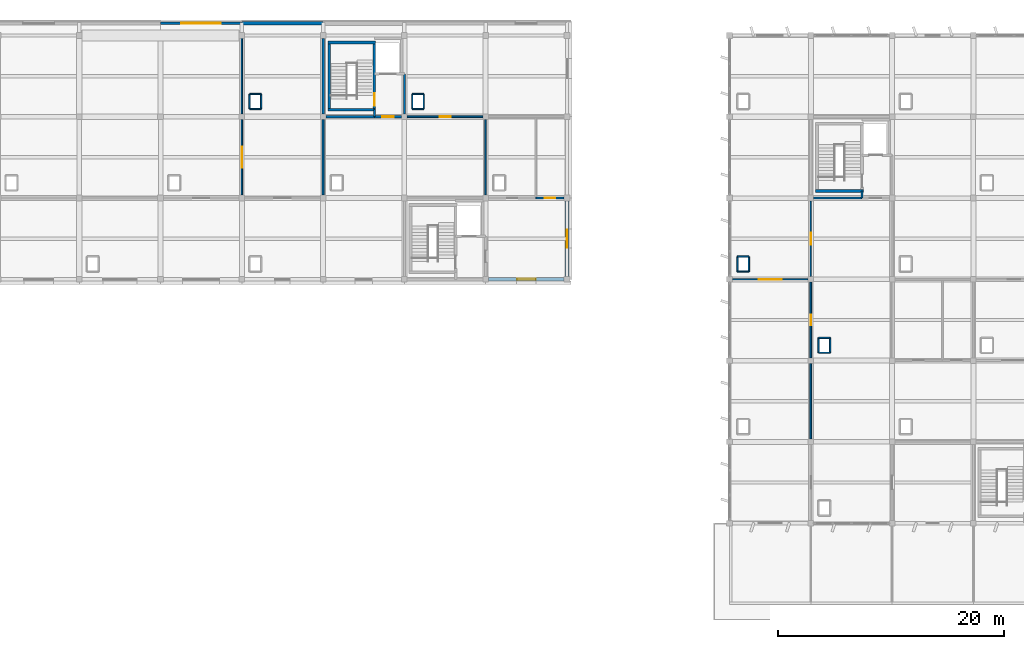
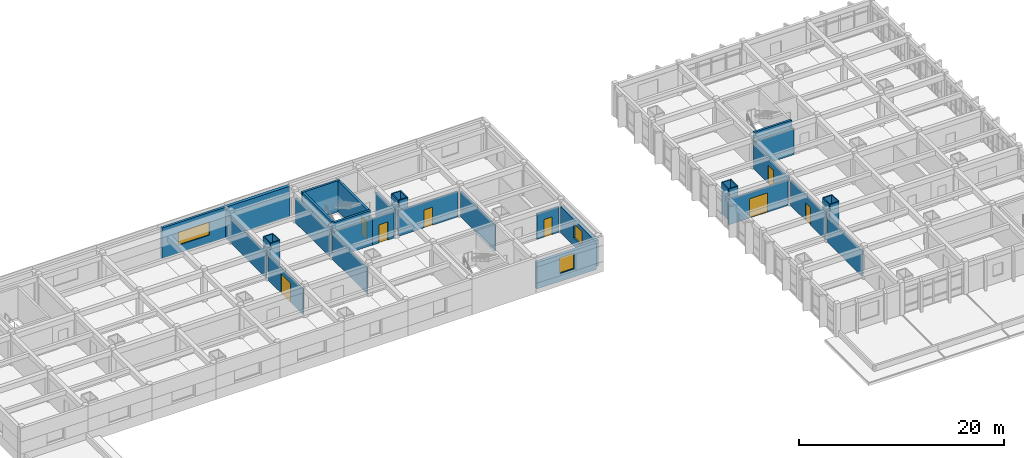
# One storey, part 34 of 40: 42 walls, 8 doors, 3 windows, 11 openings.
"""IFC4 building model written with IfcOpenShell, lengths in metres."""

from ifc_helpers import new_model, si_unit, direction, frame, frame_2d, origin, place, context, subcontext, project, spatial, rectangle, extrude, material, layer, layer_set, type_object, element, fill, save


model = new_model("IFC4")

# Units and contexts
model_context = context("Model", 3, precision=1e-05, world=origin(), true_north=direction((0.0, 1.0)))
body_context = subcontext(model_context, "Body", "Model", "MODEL_VIEW")
ifc_project = project(units=[si_unit("LENGTHUNIT", "METRE"), si_unit("AREAUNIT", "SQUARE_METRE"), si_unit("VOLUMEUNIT", "CUBIC_METRE"), si_unit("PLANEANGLEUNIT", "RADIAN"), si_unit("MASSUNIT", "GRAM", prefix="KILO")], contexts=[model_context])

# Site, building, storey
site_placement = place(None, origin())
site = spatial("IfcSite", under=ifc_project, at=site_placement, CompositionType="ELEMENT")
building_placement = place(site_placement, origin())
building = spatial("IfcBuilding", under=site, at=building_placement, Name="Kavelor Marine Aquarium", CompositionType="ELEMENT")
storey_placement = place(building_placement, frame((0.0, 0.0, 17.639892578125)))
storey = spatial("IfcBuildingStorey", under=building, at=storey_placement, Name="L04", CompositionType="ELEMENT", Elevation=17.639892578125)

# Wall, opening, window
ifc_material_1 = material(Name="Concrete C45/55", Category="concrete")
ifc_layer_1 = layer(ifc_material_1, 0.360107421875)
ifc_layer_set_1 = layer_set([ifc_layer_1], Name="WL-EX1")
wall_type_1 = type_object("IfcWallType", Name="WL-EX1", PredefinedType="STANDARD", material=ifc_layer_set_1)
wall_1_placement = place(storey_placement, frame((104.0, 96.155029296875, 0.0), z_axis=(0.0, 0.0, 1.0), x_axis=(0.0, -1.0, 0.0)))
wall_1 = element("IfcWall", 1, at=wall_1_placement, inside=storey, type_object=wall_type_1, Name="ew:y:L04:14_12", PredefinedType="STANDARD", context=body_context, shape_type="SweptSolid", body=[
    extrude(rectangle(XDim=6.7099609375, YDim=0.360107421875, at=frame_2d((3.35498046875, 0.0))), origin(), (0.0, 0.0, 1.0), 3.14013671875),
])
opening_1_placement = place(wall_1_placement, frame((2.554931640625, 0.0, 0.949951171875)))
opening_1 = element("IfcOpeningElement", 2, at=opening_1_placement, cuts=wall_1, Name="Opening W06", PredefinedType="OPENING", context=body_context, shape_type="SweptSolid", body=[
    extrude(rectangle(XDim=1.60009765625, YDim=1.699951171875, at=frame_2d((0.800048828125, 0.85009765625))), frame((0.0, 0.18994140625, 0.0), z_axis=(0.0, -1.0, 0.0), x_axis=(1.0, 0.0, 0.0)), (0.0, 0.0, 1.0), 0.380107),
])
ifc_material_2 = material(Name="Anodised Aluminium Frame with Low-E Double Glazing", Category="aluminium")
window_type_1 = type_object("IfcWindowType", Name="WIN-W06", PartitioningType="SINGLE_PANEL", PredefinedType="WINDOW", material=ifc_material_2)
window_1_placement = place(opening_1_placement, origin())
window_1 = element("IfcWindow", 3, at=window_1_placement, inside=storey, type_object=window_type_1, Name="win:y:L04:14_12", OverallHeight=1.699951171875, OverallWidth=1.60009765625, PartitioningType="SINGLE_PANEL", PredefinedType="WINDOW", context=body_context, shape_type="SweptSolid", body=[
    extrude(rectangle(XDim=1.60009765625, YDim=1.699951171875, at=frame_2d((0.800048828125, 0.85009765625))), frame((0.0, 0.030029296875, 0.0), z_axis=(0.0, -1.0, 0.0), x_axis=(1.0, 0.0, 0.0)), (0.0, 0.0, 1.0), 0.06005859375),
])
fill(opening_1, window_1)

ifc_material_3 = material(Name="Concrete C40/50", Category="concrete")
ifc_layer_2 = layer(ifc_material_3, 0.260009765625)
ifc_layer_set_2 = layer_set([ifc_layer_2], Name="WL-EX5")
wall_type_2 = type_object("IfcWallType", Name="WL-EX5", PredefinedType="STANDARD", material=ifc_layer_set_2)
wall_2_placement = place(storey_placement, frame((68.0, 111.8798828125, 0.0), z_axis=(0.0, 0.0, 1.0), x_axis=(1.0, 0.0, 0.0)))
wall_2 = element("IfcWall", 4, at=wall_2_placement, inside=storey, type_object=wall_type_2, Name="ew:x:L04:09_15", PredefinedType="STANDARD", context=body_context, shape_type="SweptSolid", body=[
    extrude(rectangle(XDim=7.199951171875, YDim=0.260009765625, at=frame_2d((3.60009765625, 0.0))), origin(), (0.0, 0.0, 1.0), 3.630126953125),
])
opening_2_placement = place(wall_2_placement, frame((1.85009765625, 0.0, 0.949951171875)))
opening_2 = element("IfcOpeningElement", 5, at=opening_2_placement, cuts=wall_2, Name="Opening W36", PredefinedType="OPENING", context=body_context, shape_type="SweptSolid", body=[
    extrude(rectangle(XDim=3.5, YDim=1.550048828125, at=frame_2d((1.75, 0.77490234375))), frame((0.0, 0.139892578125, 0.0), z_axis=(0.0, -1.0, 0.0), x_axis=(1.0, 0.0, 0.0)), (0.0, 0.0, 1.0), 0.28001),
])
ifc_material_4 = material(Name="Anodised Aluminium Frame with Low-E Double Glazing", Category="aluminium")
window_type_2 = type_object("IfcWindowType", Name="WIN-W36", PartitioningType="DOUBLE_PANEL_VERTICAL", PredefinedType="WINDOW", material=ifc_material_4)
window_2_placement = place(opening_2_placement, origin())
window_2 = element("IfcWindow", 6, at=window_2_placement, inside=storey, type_object=window_type_2, Name="win:x:L04:09_15", OverallHeight=1.550048828125, OverallWidth=3.5, PartitioningType="SINGLE_PANEL", PredefinedType="WINDOW", context=body_context, shape_type="SweptSolid", body=[
    extrude(rectangle(XDim=3.5, YDim=1.550048828125, at=frame_2d((1.75, 0.77490234375))), frame((0.0, 0.030029296875, 0.0), z_axis=(0.0, -1.0, 0.0), x_axis=(1.0, 0.0, 0.0)), (0.0, 0.0, 1.0), 0.06005859375),
])
fill(opening_2, window_2)

# Wall
ifc_material_5 = material(Name="Concrete C45/55", Category="concrete")
ifc_layer_3 = layer(ifc_material_5, 0.340087890625)
ifc_layer_set_3 = layer_set([ifc_layer_3], Name="WL-EX6")
wall_type_3 = type_object("IfcWallType", Name="WL-EX6", PredefinedType="STANDARD", material=ifc_layer_set_3)
wall_3_placement = place(storey_placement, frame((75.199951171875, 111.8798828125, 0.0), z_axis=(0.0, 0.0, 1.0), x_axis=(1.0, 0.0, 0.0)))
element("IfcWall", 7, at=wall_3_placement, inside=storey, type_object=wall_type_3, Name="ew:x:L04:10_15", PredefinedType="STANDARD", context=body_context, shape_type="SweptSolid", body=[
    extrude(rectangle(XDim=7.199951171875, YDim=0.340087890625, at=frame_2d((3.60009765625, 0.0))), origin(), (0.0, 0.0, 1.0), 3.630126953125),
])

# Wall, opening, window
wall_4_placement = place(storey_placement, frame((103.7548828125, 89.199951171875, 0.0), z_axis=(0.0, 0.0, 1.0), x_axis=(-1.0, 0.0, 0.0)))
wall_4 = element("IfcWall", 8, at=wall_4_placement, inside=storey, type_object=wall_type_3, Name="ew:x:L04:13_12", PredefinedType="STANDARD", context=body_context, shape_type="SweptSolid", body=[
    extrude(rectangle(XDim=6.7099609375, YDim=0.340087890625, at=frame_2d((3.35498046875, 0.0))), origin(), (0.0, 0.0, 1.0), 3.14013671875),
])
opening_3_placement = place(wall_4_placement, frame((2.530029296875, 0.0, 0.949951171875)))
opening_3 = element("IfcOpeningElement", 9, at=opening_3_placement, cuts=wall_4, Name="Opening W39", PredefinedType="OPENING", context=body_context, shape_type="SweptSolid", body=[
    extrude(rectangle(XDim=1.64990234375, YDim=1.85009765625, at=frame_2d((0.824951171875, 0.925048828125))), frame((0.0, 0.179931640625, 0.0), z_axis=(0.0, -1.0, 0.0), x_axis=(1.0, 0.0, 0.0)), (0.0, 0.0, 1.0), 0.360088),
])
ifc_material_6 = material(Name="Anodised Aluminium Frame with Low-E Double Glazing", Category="aluminium")
window_type_3 = type_object("IfcWindowType", Name="WIN-W39", PartitioningType="SINGLE_PANEL", PredefinedType="WINDOW", material=ifc_material_6)
window_3_placement = place(opening_3_placement, origin())
window_3 = element("IfcWindow", 10, at=window_3_placement, inside=storey, type_object=window_type_3, Name="win:x:L04:13_12", OverallHeight=1.85009765625, OverallWidth=1.64990234375, PartitioningType="SINGLE_PANEL", PredefinedType="WINDOW", context=body_context, shape_type="SweptSolid", body=[
    extrude(rectangle(XDim=1.64990234375, YDim=1.85009765625, at=frame_2d((0.824951171875, 0.925048828125))), frame((0.0, 0.030029296875, 0.0), z_axis=(0.0, -1.0, 0.0), x_axis=(1.0, 0.0, 0.0)), (0.0, 0.0, 1.0), 0.06005859375),
])
fill(opening_3, window_3)

# Walls
ifc_material_7 = material(Name="Concrete Blockwork Partition", Category="masonry")
ifc_layer_4 = layer(ifc_material_7, 0.199951171875)
ifc_layer_set_4 = layer_set([ifc_layer_4], Name="WL-PT1")
wall_type_4 = type_object("IfcWallType", Name="WL-PT1", PredefinedType="PARTITIONING", material=ifc_layer_set_4)
wall_5_placement = place(storey_placement, frame((86.93994140625, 103.60009765625, 0.0), z_axis=(0.0, 0.0, 1.0), x_axis=(0.0, 1.0, 0.0)))
element("IfcWall", 11, at=wall_5_placement, inside=storey, type_object=wall_type_4, Name="pt:st_close:s:C06:L04", PredefinedType="PARTITIONING", context=body_context, shape_type="SweptSolid", body=[
    extrude(rectangle(XDim=0.619873046875, YDim=0.199951171875, at=frame_2d((0.31005859375, 0.0))), origin(), (0.0, 0.0, 1.0), 3.090087890625),
])
wall_6_placement = place(storey_placement, frame((82.39990234375, 103.85009765625, 0.0), z_axis=(0.0, 0.0, 1.0), x_axis=(0.0, 1.0, 0.0)))
element("IfcWall", 12, at=wall_6_placement, inside=storey, type_object=wall_type_4, Name="pt:lob:C06:L04:w", PredefinedType="PARTITIONING", context=body_context, shape_type="SweptSolid", body=[
    extrude(rectangle(XDim=6.699951171875, YDim=0.199951171875, at=frame_2d((3.35009765625, 0.0))), origin(), (0.0, 0.0, 1.0), 2.980224609375),
])
wall_7_placement = place(storey_placement, frame((89.60009765625, 103.85009765625, 0.0), z_axis=(0.0, 0.0, 1.0), x_axis=(0.0, 1.0, 0.0)))
element("IfcWall", 13, at=wall_7_placement, inside=storey, type_object=wall_type_4, Name="pt:lob:C06:L04:e", PredefinedType="PARTITIONING", context=body_context, shape_type="SweptSolid", body=[
    extrude(rectangle(XDim=3.5498046875, YDim=0.199951171875, at=frame_2d((1.77490234375, 0.0))), origin(), (0.0, 0.0, 1.0), 3.02001953125),
])
wall_8_placement = place(storey_placement, frame((82.64990234375, 103.60009765625, 0.0), z_axis=(0.0, 0.0, 1.0), x_axis=(1.0, 0.0, 0.0)))
element("IfcWall", 14, at=wall_8_placement, inside=storey, type_object=wall_type_4, Name="pt:lob:C06:L04:s_st", PredefinedType="PARTITIONING", context=body_context, shape_type="SweptSolid", body=[
    extrude(rectangle(XDim=4.2900390625, YDim=0.199951171875, at=frame_2d((2.14501953125, 0.0))), origin(), (0.0, 0.0, 1.0), 3.090087890625),
])

# Wall, opening, door
wall_9_placement = place(storey_placement, frame((86.93994140625, 103.60009765625, 0.0), z_axis=(0.0, 0.0, 1.0), x_axis=(1.0, 0.0, 0.0)))
wall_9 = element("IfcWall", 15, at=wall_9_placement, inside=storey, type_object=wall_type_4, Name="pt:lob:C06:L04:s", PredefinedType="PARTITIONING", context=body_context, shape_type="SweptSolid", body=[
    extrude(rectangle(XDim=2.41015625, YDim=0.199951171875, at=frame_2d((1.205078125, 0.0))), origin(), (0.0, 0.0, 1.0), 3.090087890625),
])
opening_4_placement = place(wall_9_placement, frame((0.695068359375, 0.0, 0.0)))
opening_4 = element("IfcOpeningElement", 16, at=opening_4_placement, cuts=wall_9, Name="Opening SD1", PredefinedType="OPENING", context=body_context, shape_type="SweptSolid", body=[
    extrude(rectangle(XDim=1.02001953125, YDim=2.14990234375, at=frame_2d((0.510009765625, 1.074951171875))), frame((0.0, 0.10986328125, 0.0), z_axis=(0.0, -1.0, 0.0), x_axis=(1.0, 0.0, 0.0)), (0.0, 0.0, 1.0), 0.219951),
])
ifc_material_8 = material(Name="Fire-Rated Corridor Compartment Door")
door_type_1 = type_object("IfcDoorType", Name="DR-SD1", OperationType="NOTDEFINED", PredefinedType="DOOR", material=ifc_material_8)
door_1_placement = place(opening_4_placement, origin())
door_1 = element("IfcDoor", 17, at=door_1_placement, inside=storey, type_object=door_type_1, Name="Core Lobby Fire Door C06-L04", OperationType="SINGLE_SWING_RIGHT", OverallHeight=2.14990234375, OverallWidth=1.02001953125, PredefinedType="DOOR", context=body_context, shape_type="SweptSolid", body=[
    extrude(rectangle(XDim=1.02001953125, YDim=2.14990234375, at=frame_2d((0.510009765625, 1.074951171875))), frame((0.0, 0.02490234375, 0.0), z_axis=(0.0, -1.0, 0.0), x_axis=(1.0, 0.0, 0.0)), (0.0, 0.0, 1.0), 0.050048828125),
])
fill(opening_4, door_1)

# Walls
wall_10_placement = place(storey_placement, frame((130.139892578125, 96.39990234375, 0.0), z_axis=(0.0, 0.0, 1.0), x_axis=(0.0, 1.0, 0.0)))
element("IfcWall", 18, at=wall_10_placement, inside=storey, type_object=wall_type_4, Name="pt:st_close:s:C10:L04", PredefinedType="PARTITIONING", context=body_context, shape_type="SweptSolid", body=[
    extrude(rectangle(XDim=0.6201171875, YDim=0.199951171875, at=frame_2d((0.31005859375, 0.0))), origin(), (0.0, 0.0, 1.0), 3.0400390625),
])
wall_11_placement = place(storey_placement, frame((125.85009765625, 96.39990234375, 0.0), z_axis=(0.0, 0.0, 1.0), x_axis=(1.0, 0.0, 0.0)))
element("IfcWall", 19, at=wall_11_placement, inside=storey, type_object=wall_type_4, Name="pt:lob:C10:L04:s_st", PredefinedType="PARTITIONING", context=body_context, shape_type="SweptSolid", body=[
    extrude(rectangle(XDim=4.289794921875, YDim=0.199951171875, at=frame_2d((2.14501953125, 0.0))), origin(), (0.0, 0.0, 1.0), 3.0400390625),
])
ifc_material_9 = material(Name="Acoustic Gypsum Stud Partition")
ifc_layer_5 = layer(ifc_material_9, 0.159912109375)
ifc_layer_set_5 = layer_set([ifc_layer_5], Name="WL-PT2")
wall_type_5 = type_object("IfcWallType", Name="WL-PT2", PredefinedType="PARTITIONING", material=ifc_layer_set_5)
wall_12_placement = place(storey_placement, frame((82.39990234375, 96.64990234375, 0.0), z_axis=(0.0, 0.0, 1.0), x_axis=(0.0, 1.0, 0.0)))
element("IfcWall", 20, at=wall_12_placement, inside=storey, type_object=wall_type_5, Name="pt:y:L04:10_13", PredefinedType="PARTITIONING", context=body_context, shape_type="SweptSolid", body=[
    extrude(rectangle(XDim=6.7001953125, YDim=0.159912109375, at=frame_2d((3.35009765625, 0.0))), origin(), (0.0, 0.0, 1.0), 3.030029296875),
])

# Wall, opening, door
wall_13_placement = place(storey_placement, frame((89.85009765625, 103.60009765625, 0.0), z_axis=(0.0, 0.0, 1.0), x_axis=(1.0, 0.0, 0.0)))
wall_13 = element("IfcWall", 21, at=wall_13_placement, inside=storey, type_object=wall_type_5, Name="pt:x:L04:12_13", PredefinedType="PARTITIONING", context=body_context, shape_type="SweptSolid", body=[
    extrude(rectangle(XDim=6.699951171875, YDim=0.159912109375, at=frame_2d((3.35009765625, 0.0))), origin(), (0.0, 0.0, 1.0), 3.02001953125),
])
opening_5_placement = place(wall_13_placement, frame((2.860107421875, 0.0, 0.0)))
opening_5 = element("IfcOpeningElement", 22, at=opening_5_placement, cuts=wall_13, Name="Opening D07", PredefinedType="OPENING", context=body_context, shape_type="SweptSolid", body=[
    extrude(rectangle(XDim=0.97998046875, YDim=2.1201171875, at=frame_2d((0.489990234375, 1.06005859375))), frame((0.0, 0.08984375, 0.0), z_axis=(0.0, -1.0, 0.0), x_axis=(1.0, 0.0, 0.0)), (0.0, 0.0, 1.0), 0.179912),
])
ifc_material_10 = material(Name="Research Write-Up Timber Door", Category="wood")
door_type_2 = type_object("IfcDoorType", Name="DR-D07", OperationType="NOTDEFINED", PredefinedType="DOOR", material=ifc_material_10)
door_2_placement = place(opening_5_placement, origin())
door_2 = element("IfcDoor", 23, at=door_2_placement, inside=storey, type_object=door_type_2, Name="dr:rm:pt:x:L04:12_13:0", OperationType="SINGLE_SWING_RIGHT", OverallHeight=2.1201171875, OverallWidth=0.97998046875, PredefinedType="DOOR", context=body_context, shape_type="SweptSolid", body=[
    extrude(rectangle(XDim=0.97998046875, YDim=2.1201171875, at=frame_2d((0.489990234375, 1.06005859375))), frame((0.0, 0.02490234375, 0.0), z_axis=(0.0, -1.0, 0.0), x_axis=(1.0, 0.0, 0.0)), (0.0, 0.0, 1.0), 0.050048828125),
])
fill(opening_5, door_2)

# Wall
wall_14_placement = place(storey_placement, frame((125.60009765625, 75.050048828125, 0.0), z_axis=(0.0, 0.0, 1.0), x_axis=(0.0, 1.0, 0.0)))
element("IfcWall", 24, at=wall_14_placement, inside=storey, type_object=wall_type_5, Name="pt:y:L04:16_10", PredefinedType="PARTITIONING", context=body_context, shape_type="SweptSolid", body=[
    extrude(rectangle(XDim=6.699951171875, YDim=0.159912109375, at=frame_2d((3.35009765625, 0.0))), origin(), (0.0, 0.0, 1.0), 3.02001953125),
])

# Wall, opening, door
wall_15_placement = place(storey_placement, frame((125.60009765625, 82.25, 0.0), z_axis=(0.0, 0.0, 1.0), x_axis=(0.0, 1.0, 0.0)))
wall_15 = element("IfcWall", 25, at=wall_15_placement, inside=storey, type_object=wall_type_5, Name="pt:y:L04:16_11", PredefinedType="PARTITIONING", context=body_context, shape_type="SweptSolid", body=[
    extrude(rectangle(XDim=6.699951171875, YDim=0.159912109375, at=frame_2d((3.35009765625, 0.0))), origin(), (0.0, 0.0, 1.0), 3.070068359375),
])
opening_6_placement = place(wall_15_placement, frame((2.8701171875, 0.0, 0.0)))
opening_6 = element("IfcOpeningElement", 26, at=opening_6_placement, cuts=wall_15, Name="Opening D01", PredefinedType="OPENING", context=body_context, shape_type="SweptSolid", body=[
    extrude(rectangle(XDim=0.9599609375, YDim=2.10009765625, at=frame_2d((0.47998046875, 1.050048828125))), frame((0.0, 0.08984375, 0.0), z_axis=(0.0, -1.0, 0.0), x_axis=(1.0, 0.0, 0.0)), (0.0, 0.0, 1.0), 0.179912),
])
ifc_material_11 = material(Name="Solid-Core Acoustic Timber Laboratory Door", Category="wood")
door_type_3 = type_object("IfcDoorType", Name="DR-D01", OperationType="NOTDEFINED", PredefinedType="DOOR", material=ifc_material_11)
door_3_placement = place(opening_6_placement, origin())
door_3 = element("IfcDoor", 27, at=door_3_placement, inside=storey, type_object=door_type_3, Name="dr:rm:pt:y:L04:16_11:1", OperationType="SINGLE_SWING_RIGHT", OverallHeight=2.10009765625, OverallWidth=0.9599609375, PredefinedType="DOOR", context=body_context, shape_type="SweptSolid", body=[
    extrude(rectangle(XDim=0.9599609375, YDim=2.10009765625, at=frame_2d((0.47998046875, 1.050048828125))), frame((0.0, 0.02490234375, 0.0), z_axis=(0.0, -1.0, 0.0), x_axis=(1.0, 0.0, 0.0)), (0.0, 0.0, 1.0), 0.050048828125),
])
fill(opening_6, door_3)

wall_16_placement = place(storey_placement, frame((118.64990234375, 89.199951171875, 0.0), z_axis=(0.0, 0.0, 1.0), x_axis=(1.0, 0.0, 0.0)))
wall_16 = element("IfcWall", 28, at=wall_16_placement, inside=storey, type_object=wall_type_5, Name="pt:x:L04:16_11", PredefinedType="PARTITIONING", context=body_context, shape_type="SweptSolid", body=[
    extrude(rectangle(XDim=6.7001953125, YDim=0.159912109375, at=frame_2d((3.35009765625, 0.0))), origin(), (0.0, 0.0, 1.0), 3.02001953125),
])
opening_7_placement = place(wall_16_placement, frame((2.320068359375, 0.0, 0.0)))
opening_7 = element("IfcOpeningElement", 29, at=opening_7_placement, cuts=wall_16, Name="Opening D14", PredefinedType="OPENING", context=body_context, shape_type="SweptSolid", body=[
    extrude(rectangle(XDim=2.06005859375, YDim=2.280029296875, at=frame_2d((1.030029296875, 1.14013671875))), frame((0.0, 0.08984375, 0.0), z_axis=(0.0, -1.0, 0.0), x_axis=(1.0, 0.0, 0.0)), (0.0, 0.0, 1.0), 0.179912),
])
ifc_material_12 = material(Name="LSS Filtration Equipment Double Door")
door_type_4 = type_object("IfcDoorType", Name="DR-D14", OperationType="NOTDEFINED", PredefinedType="DOOR", material=ifc_material_12)
door_4_placement = place(opening_7_placement, origin())
door_4 = element("IfcDoor", 30, at=door_4_placement, inside=storey, type_object=door_type_4, Name="dr:rm:pt:x:L04:16_11:0", OperationType="DOUBLE_DOOR_SINGLE_SWING", OverallHeight=2.280029296875, OverallWidth=2.06005859375, PredefinedType="DOOR", context=body_context, shape_type="SweptSolid", body=[
    extrude(rectangle(XDim=2.06005859375, YDim=2.280029296875, at=frame_2d((1.030029296875, 1.14013671875))), frame((0.0, 0.02490234375, 0.0), z_axis=(0.0, -1.0, 0.0), x_axis=(1.0, 0.0, 0.0)), (0.0, 0.0, 1.0), 0.050048828125),
])
fill(opening_7, door_4)

wall_17_placement = place(storey_placement, frame((125.60009765625, 89.449951171875, 0.0), z_axis=(0.0, 0.0, 1.0), x_axis=(0.0, 1.0, 0.0)))
wall_17 = element("IfcWall", 31, at=wall_17_placement, inside=storey, type_object=wall_type_5, Name="pt:y:L04:16_12", PredefinedType="PARTITIONING", context=body_context, shape_type="SweptSolid", body=[
    extrude(rectangle(XDim=6.699951171875, YDim=0.159912109375, at=frame_2d((3.35009765625, 0.0))), origin(), (0.0, 0.0, 1.0), 3.02001953125),
])
opening_8_placement = place(wall_17_placement, frame((2.81005859375, 0.0, 0.0)))
opening_8 = element("IfcOpeningElement", 32, at=opening_8_placement, cuts=wall_17, Name="Opening D08", PredefinedType="OPENING", context=body_context, shape_type="SweptSolid", body=[
    extrude(rectangle(XDim=1.080078125, YDim=2.159912109375, at=frame_2d((0.5400390625, 1.080078125))), frame((0.0, 0.08984375, 0.0), z_axis=(0.0, -1.0, 0.0), x_axis=(1.0, 0.0, 0.0)), (0.0, 0.0, 1.0), 0.179912),
])
ifc_material_13 = material(Name="Discovery Wet Lab Vision Door")
door_type_5 = type_object("IfcDoorType", Name="DR-D08", OperationType="NOTDEFINED", PredefinedType="DOOR", material=ifc_material_13)
door_5_placement = place(opening_8_placement, origin())
door_5 = element("IfcDoor", 33, at=door_5_placement, inside=storey, type_object=door_type_5, Name="dr:rm:pt:y:L04:16_12:0", OperationType="SINGLE_SWING_LEFT", OverallHeight=2.159912109375, OverallWidth=1.080078125, PredefinedType="DOOR", context=body_context, shape_type="SweptSolid", body=[
    extrude(rectangle(XDim=1.080078125, YDim=2.159912109375, at=frame_2d((0.5400390625, 1.080078125))), frame((0.0, 0.02490234375, 0.0), z_axis=(0.0, -1.0, 0.0), x_axis=(1.0, 0.0, 0.0)), (0.0, 0.0, 1.0), 0.050048828125),
])
fill(opening_8, door_5)

ifc_material_14 = material(Name="Moisture-Resistant Marine Partition")
ifc_layer_6 = layer(ifc_material_14, 0.139892578125)
ifc_layer_set_6 = layer_set([ifc_layer_6], Name="WL-PT3")
wall_type_6 = type_object("IfcWallType", Name="WL-PT3", PredefinedType="PARTITIONING", material=ifc_layer_set_6)
wall_18_placement = place(storey_placement, frame((101.25, 96.39990234375, 0.0), z_axis=(0.0, 0.0, 1.0), x_axis=(1.0, 0.0, 0.0)))
wall_18 = element("IfcWall", 34, at=wall_18_placement, inside=storey, type_object=wall_type_6, Name="pt:san:f2:L04:13_13", PredefinedType="PARTITIONING", context=body_context, shape_type="SweptSolid", body=[
    extrude(rectangle(XDim=2.5, YDim=0.139892578125, at=frame_2d((1.25, 0.0))), origin(), (0.0, 0.0, 1.0), 3.0400390625),
])
opening_9_placement = place(wall_18_placement, frame((0.7900390625, 0.0, 0.0)))
opening_9 = element("IfcOpeningElement", 35, at=opening_9_placement, cuts=wall_18, Name="Opening D02", PredefinedType="OPENING", context=body_context, shape_type="SweptSolid", body=[
    extrude(rectangle(XDim=0.919921875, YDim=2.080078125, at=frame_2d((0.4599609375, 1.0400390625))), frame((0.0, 0.079833984375, 0.0), z_axis=(0.0, -1.0, 0.0), x_axis=(1.0, 0.0, 0.0)), (0.0, 0.0, 1.0), 0.159893),
])
ifc_material_15 = material(Name="Moisture-Resistant Laminate Sanitary Door")
door_type_6 = type_object("IfcDoorType", Name="DR-D02", OperationType="NOTDEFINED", PredefinedType="DOOR", material=ifc_material_15)
door_6_placement = place(opening_9_placement, origin())
door_6 = element("IfcDoor", 36, at=door_6_placement, inside=storey, type_object=door_type_6, Name="dr:awc:L04:13_13", OperationType="SINGLE_SWING_LEFT", OverallHeight=2.080078125, OverallWidth=0.919921875, PredefinedType="DOOR", context=body_context, shape_type="SweptSolid", body=[
    extrude(rectangle(XDim=0.919921875, YDim=2.080078125, at=frame_2d((0.4599609375, 1.0400390625))), frame((0.0, 0.02490234375, 0.0), z_axis=(0.0, -1.0, 0.0), x_axis=(1.0, 0.0, 0.0)), (0.0, 0.0, 1.0), 0.050048828125),
])
fill(opening_9, door_6)

# Walls
wall_19_placement = place(storey_placement, frame((96.800048828125, 96.64990234375, 0.0), z_axis=(0.0, 0.0, 1.0), x_axis=(0.0, 1.0, 0.0)))
element("IfcWall", 37, at=wall_19_placement, inside=storey, type_object=wall_type_6, Name="pt:san:enc_w:L04:13_13", PredefinedType="PARTITIONING", context=body_context, shape_type="SweptSolid", body=[
    extrude(rectangle(XDim=6.7001953125, YDim=0.139892578125, at=frame_2d((3.35009765625, 0.0))), origin(), (0.0, 0.0, 1.0), 3.070068359375),
])
ifc_material_16 = material(Name="Lightweight Drywall Partition")
ifc_layer_7 = layer(ifc_material_16, 0.1201171875)
ifc_layer_set_7 = layer_set([ifc_layer_7], Name="WL-PT4")
wall_type_7 = type_object("IfcWallType", Name="WL-PT4", PredefinedType="PARTITIONING", material=ifc_layer_set_7)
for number, where, z_axis, x_axis, name in (
    (38, (75.889892578125, 104.2900390625, 0.0), (0.0, 0.0, 1.0), (1.0, 0.0, 0.0), "riser:s:L04:10_14"),
    (39, (75.889892578125, 105.610107421875, 0.0), (0.0, 0.0, 1.0), (1.0, 0.0, 0.0), "riser:n:L04:10_14"),
):
    element("IfcWall", number, at=place(storey_placement, frame(where, z_axis=z_axis, x_axis=x_axis)), inside=storey, type_object=wall_type_7, Name=name, PredefinedType="PARTITIONING", context=body_context, shape_type="SweptSolid", body=[
        extrude(rectangle(XDim=1.02001953125, YDim=0.1201171875, at=frame_2d((0.510009765625, 0.0))), origin(), (0.0, 0.0, 1.0), 3.6201171875),
    ])
for number, where, z_axis, x_axis, name in (
    (40, (75.889892578125, 104.2900390625, 0.0), (0.0, 0.0, 1.0), (0.0, 1.0, 0.0), "riser:w:L04:10_14"),
    (41, (76.909912109375, 104.2900390625, 0.0), (0.0, 0.0, 1.0), (0.0, 1.0, 0.0), "riser:e:L04:10_14"),
):
    element("IfcWall", number, at=place(storey_placement, frame(where, z_axis=z_axis, x_axis=x_axis)), inside=storey, type_object=wall_type_7, Name=name, PredefinedType="PARTITIONING", context=body_context, shape_type="SweptSolid", body=[
        extrude(rectangle(XDim=1.320068359375, YDim=0.1201171875, at=frame_2d((0.66015625, 0.0))), origin(), (0.0, 0.0, 1.0), 3.6201171875),
    ])
for number, where, z_axis, x_axis, name in (
    (42, (90.2900390625, 104.2900390625, 0.0), (0.0, 0.0, 1.0), (1.0, 0.0, 0.0), "riser:s:L04:12_14"),
    (43, (90.2900390625, 105.610107421875, 0.0), (0.0, 0.0, 1.0), (1.0, 0.0, 0.0), "riser:n:L04:12_14"),
):
    element("IfcWall", number, at=place(storey_placement, frame(where, z_axis=z_axis, x_axis=x_axis)), inside=storey, type_object=wall_type_7, Name=name, PredefinedType="PARTITIONING", context=body_context, shape_type="SweptSolid", body=[
        extrude(rectangle(XDim=1.02001953125, YDim=0.1201171875, at=frame_2d((0.510009765625, 0.0))), origin(), (0.0, 0.0, 1.0), 3.66015625),
    ])
for number, where, z_axis, x_axis, name in (
    (44, (90.2900390625, 104.2900390625, 0.0), (0.0, 0.0, 1.0), (0.0, 1.0, 0.0), "riser:w:L04:12_14"),
    (45, (91.31005859375, 104.2900390625, 0.0), (0.0, 0.0, 1.0), (0.0, 1.0, 0.0), "riser:e:L04:12_14"),
):
    element("IfcWall", number, at=place(storey_placement, frame(where, z_axis=z_axis, x_axis=x_axis)), inside=storey, type_object=wall_type_7, Name=name, PredefinedType="PARTITIONING", context=body_context, shape_type="SweptSolid", body=[
        extrude(rectangle(XDim=1.320068359375, YDim=0.1201171875, at=frame_2d((0.66015625, 0.0))), origin(), (0.0, 0.0, 1.0), 3.66015625),
    ])
for number, where, z_axis, x_axis, name in (
    (46, (119.090087890625, 89.889892578125, 0.0), (0.0, 0.0, 1.0), (1.0, 0.0, 0.0), "riser:s:L04:16_12"),
    (47, (119.090087890625, 91.2099609375, 0.0), (0.0, 0.0, 1.0), (1.0, 0.0, 0.0), "riser:n:L04:16_12"),
):
    element("IfcWall", number, at=place(storey_placement, frame(where, z_axis=z_axis, x_axis=x_axis)), inside=storey, type_object=wall_type_7, Name=name, PredefinedType="PARTITIONING", context=body_context, shape_type="SweptSolid", body=[
        extrude(rectangle(XDim=1.02001953125, YDim=0.1201171875, at=frame_2d((0.510009765625, 0.0))), origin(), (0.0, 0.0, 1.0), 3.66015625),
    ])
for number, where, z_axis, x_axis, name in (
    (48, (119.090087890625, 89.889892578125, 0.0), (0.0, 0.0, 1.0), (0.0, 1.0, 0.0), "riser:w:L04:16_12"),
    (49, (120.110107421875, 89.889892578125, 0.0), (0.0, 0.0, 1.0), (0.0, 1.0, 0.0), "riser:e:L04:16_12"),
):
    element("IfcWall", number, at=place(storey_placement, frame(where, z_axis=z_axis, x_axis=x_axis)), inside=storey, type_object=wall_type_7, Name=name, PredefinedType="PARTITIONING", context=body_context, shape_type="SweptSolid", body=[
        extrude(rectangle(XDim=1.320068359375, YDim=0.1201171875, at=frame_2d((0.66015625, 0.0))), origin(), (0.0, 0.0, 1.0), 3.66015625),
    ])
for number, where, z_axis, x_axis, name in (
    (50, (126.2900390625, 82.68994140625, 0.0), (0.0, 0.0, 1.0), (1.0, 0.0, 0.0), "riser:s:L04:17_11"),
    (51, (126.2900390625, 84.010009765625, 0.0), (0.0, 0.0, 1.0), (1.0, 0.0, 0.0), "riser:n:L04:17_11"),
):
    element("IfcWall", number, at=place(storey_placement, frame(where, z_axis=z_axis, x_axis=x_axis)), inside=storey, type_object=wall_type_7, Name=name, PredefinedType="PARTITIONING", context=body_context, shape_type="SweptSolid", body=[
        extrude(rectangle(XDim=1.02001953125, YDim=0.1201171875, at=frame_2d((0.510009765625, 0.0))), origin(), (0.0, 0.0, 1.0), 3.68017578125),
    ])
for number, where, z_axis, x_axis, name in (
    (52, (126.2900390625, 82.68994140625, 0.0), (0.0, 0.0, 1.0), (0.0, 1.0, 0.0), "riser:w:L04:17_11"),
    (53, (127.31005859375, 82.68994140625, 0.0), (0.0, 0.0, 1.0), (0.0, 1.0, 0.0), "riser:e:L04:17_11"),
):
    element("IfcWall", number, at=place(storey_placement, frame(where, z_axis=z_axis, x_axis=x_axis)), inside=storey, type_object=wall_type_7, Name=name, PredefinedType="PARTITIONING", context=body_context, shape_type="SweptSolid", body=[
        extrude(rectangle(XDim=1.320068359375, YDim=0.1201171875, at=frame_2d((0.66015625, 0.0))), origin(), (0.0, 0.0, 1.0), 3.68017578125),
    ])

# Wall, opening, door
wall_20_placement = place(storey_placement, frame((75.199951171875, 96.64990234375, 0.0), z_axis=(0.0, 0.0, 1.0), x_axis=(0.0, 1.0, 0.0)))
wall_20 = element("IfcWall", 54, at=wall_20_placement, inside=storey, type_object=wall_type_7, Name="pt:y:L04:09_13", PredefinedType="PARTITIONING", context=body_context, shape_type="SweptSolid", body=[
    extrude(rectangle(XDim=6.7001953125, YDim=0.1201171875, at=frame_2d((3.35009765625, 0.0))), origin(), (0.0, 0.0, 1.0), 3.030029296875),
])
opening_10_placement = place(wall_20_placement, frame((2.419921875, 0.0, 0.0)))
opening_10 = element("IfcOpeningElement", 55, at=opening_10_placement, cuts=wall_20, Name="Opening D13", PredefinedType="OPENING", context=body_context, shape_type="SweptSolid", body=[
    extrude(rectangle(XDim=1.860107421875, YDim=2.260009765625, at=frame_2d((0.93017578125, 1.1298828125))), frame((0.0, 0.070068359375, 0.0), z_axis=(0.0, -1.0, 0.0), x_axis=(1.0, 0.0, 0.0)), (0.0, 0.0, 1.0), 0.140117),
])
ifc_material_17 = material(Name="Main Foyer Exhibition Double Door")
door_type_7 = type_object("IfcDoorType", Name="DR-D13", OperationType="NOTDEFINED", PredefinedType="DOOR", material=ifc_material_17)
door_7_placement = place(opening_10_placement, origin())
door_7 = element("IfcDoor", 56, at=door_7_placement, inside=storey, type_object=door_type_7, Name="dr:rm:pt:y:L04:09_13:0", OperationType="DOUBLE_DOOR_SINGLE_SWING", OverallHeight=2.260009765625, OverallWidth=1.860107421875, PredefinedType="DOOR", context=body_context, shape_type="SweptSolid", body=[
    extrude(rectangle(XDim=1.860107421875, YDim=2.260009765625, at=frame_2d((0.93017578125, 1.1298828125))), frame((0.0, 0.02490234375, 0.0), z_axis=(0.0, -1.0, 0.0), x_axis=(1.0, 0.0, 0.0)), (0.0, 0.0, 1.0), 0.050048828125),
])
fill(opening_10, door_7)

# Walls
wall_21_placement = place(storey_placement, frame((75.199951171875, 103.85009765625, 0.0), z_axis=(0.0, 0.0, 1.0), x_axis=(0.0, 1.0, 0.0)))
element("IfcWall", 57, at=wall_21_placement, inside=storey, type_object=wall_type_7, Name="pt:y:L04:09_14", PredefinedType="PARTITIONING", context=body_context, shape_type="SweptSolid", body=[
    extrude(rectangle(XDim=7.969970703125, YDim=0.1201171875, at=frame_2d((3.98486328125, 0.0))), origin(), (0.0, 0.0, 1.0), 2.980224609375),
])
ifc_material_18 = material(Name="Concrete C40/50", Category="concrete")
ifc_layer_8 = layer(ifc_material_18, 0.35009765625)
ifc_layer_set_8 = layer_set([ifc_layer_8], Name="WL-SW2")
wall_type_8 = type_object("IfcWallType", Name="WL-SW2", PredefinedType="SHEAR", material=ifc_layer_set_8)
for number, where, z_axis, x_axis, name in (
    (58, (82.820068359375, 104.219970703125, 0.0), (0.0, 0.0, 1.0), (1.0, 0.0, 0.0), "cw_st:s:C06:L04"),
    (59, (82.820068359375, 110.179931640625, 0.0), (0.0, 0.0, 1.0), (1.0, 0.0, 0.0), "cw_st:n:C06:L04"),
):
    element("IfcWall", number, at=place(storey_placement, frame(where, z_axis=z_axis, x_axis=x_axis)), inside=storey, type_object=wall_type_8, Name=name, PredefinedType="SHEAR", context=body_context, shape_type="SweptSolid", body=[
        extrude(rectangle(XDim=4.239990234375, YDim=0.239990234375, at=frame_2d((2.1201171875, 0.0))), origin(), (0.0, 0.0, 1.0), 3.7001953125),
    ])
wall_22_placement = place(storey_placement, frame((82.93994140625, 104.340087890625, 0.0), z_axis=(0.0, 0.0, 1.0), x_axis=(0.0, 1.0, 0.0)))
element("IfcWall", 60, at=wall_22_placement, inside=storey, type_object=wall_type_8, Name="cw_st:w:C06:L04", PredefinedType="SHEAR", context=body_context, shape_type="SweptSolid", body=[
    extrude(rectangle(XDim=5.719970703125, YDim=0.239990234375, at=frame_2d((2.85986328125, 0.0))), origin(), (0.0, 0.0, 1.0), 3.7001953125),
])

# Wall, opening, door
wall_23_placement = place(storey_placement, frame((86.93994140625, 104.340087890625, 0.0), z_axis=(0.0, 0.0, 1.0), x_axis=(0.0, 1.0, 0.0)))
wall_23 = element("IfcWall", 61, at=wall_23_placement, inside=storey, type_object=wall_type_8, Name="cw_st:e:C06:L04", PredefinedType="SHEAR", context=body_context, shape_type="SweptSolid", body=[
    extrude(rectangle(XDim=5.719970703125, YDim=0.239990234375, at=frame_2d((2.85986328125, 0.0))), origin(), (0.0, 0.0, 1.0), 3.7001953125),
])
opening_11_placement = place(wall_23_placement, frame((0.219970703125, 0.0, 0.0)))
opening_11 = element("IfcOpeningElement", 62, at=opening_11_placement, cuts=wall_23, Name="Opening FD1", PredefinedType="OPENING", context=body_context, shape_type="SweptSolid", body=[
    extrude(rectangle(XDim=1.1201171875, YDim=2.14990234375, at=frame_2d((0.56005859375, 1.074951171875))), frame((0.0, 0.1298828125, 0.0), z_axis=(0.0, -1.0, 0.0), x_axis=(1.0, 0.0, 0.0)), (0.0, 0.0, 1.0), 0.25999),
])
ifc_material_19 = material(Name="Fire-Rated Steel Stair and Core Door", Category="steel")
door_type_8 = type_object("IfcDoorType", Name="DR-FD1", OperationType="NOTDEFINED", PredefinedType="DOOR", material=ifc_material_19)
door_8_placement = place(opening_11_placement, origin())
door_8 = element("IfcDoor", 63, at=door_8_placement, inside=storey, type_object=door_type_8, Name="Stair Fire Door ST06-L04", OperationType="SINGLE_SWING_LEFT", OverallHeight=2.14990234375, OverallWidth=1.1201171875, PredefinedType="DOOR", context=body_context, shape_type="SweptSolid", body=[
    extrude(rectangle(XDim=1.1201171875, YDim=2.14990234375, at=frame_2d((0.56005859375, 1.074951171875))), frame((0.0, 0.02490234375, 0.0), z_axis=(0.0, -1.0, 0.0), x_axis=(1.0, 0.0, 0.0)), (0.0, 0.0, 1.0), 0.050048828125),
])
fill(opening_11, door_8)

# Wall
wall_24_placement = place(storey_placement, frame((126.02001953125, 97.02001953125, 0.0), z_axis=(0.0, 0.0, 1.0), x_axis=(1.0, 0.0, 0.0)))
element("IfcWall", 64, at=wall_24_placement, inside=storey, type_object=wall_type_8, Name="cw_st:s:C10:L04", PredefinedType="SHEAR", context=body_context, shape_type="SweptSolid", body=[
    extrude(rectangle(XDim=4.239990234375, YDim=0.239990234375, at=frame_2d((2.1201171875, 0.0))), origin(), (0.0, 0.0, 1.0), 3.7001953125),
])

save(model, "model.ifc")
